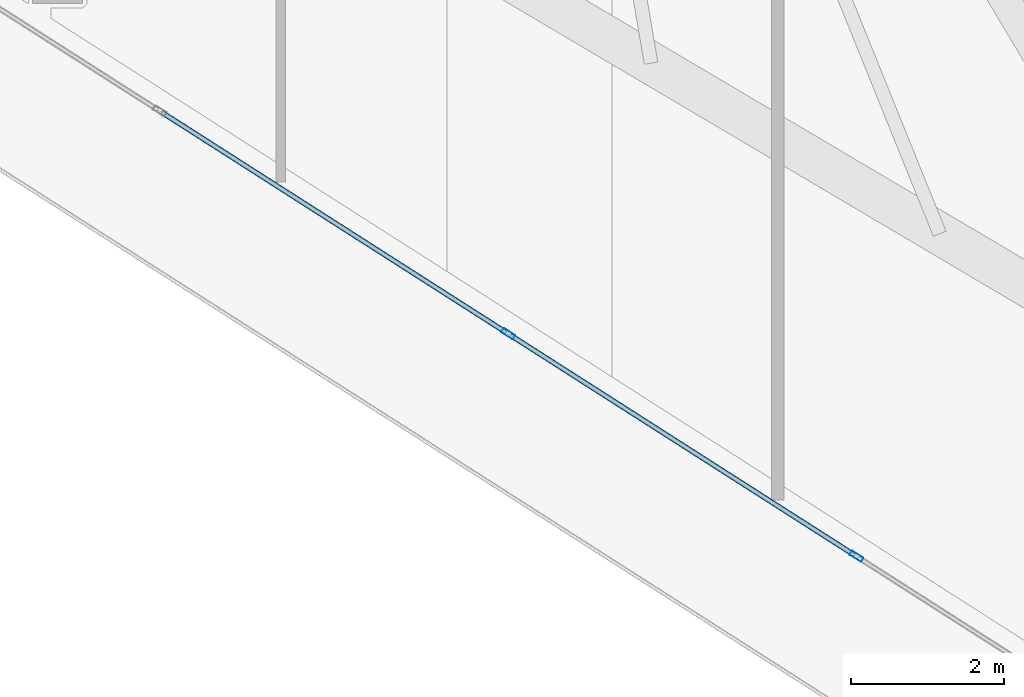
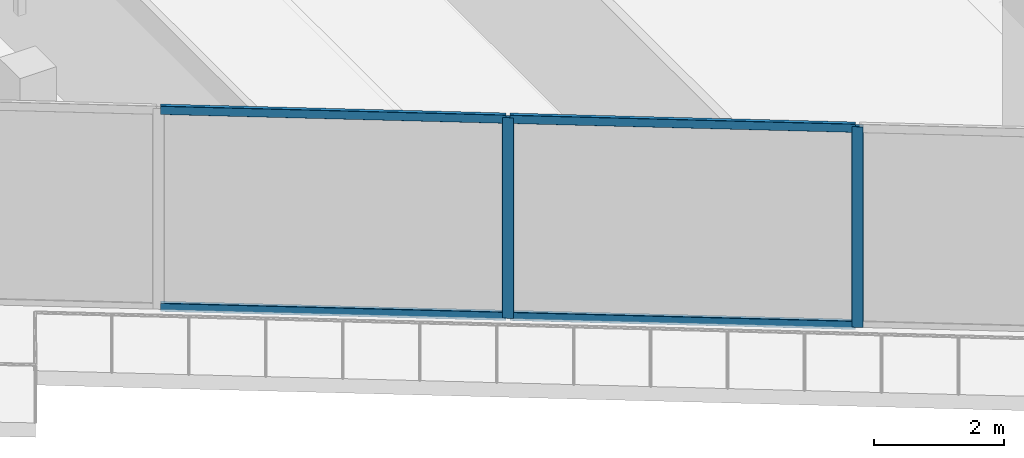
# One storey, part 8 of 39: 6 members, 1 element without a shape of its own.
"""IFC4 building model written with IfcOpenShell, lengths in metres."""

from ifc_helpers import new_model, si_unit, direction, frame, origin, origin_2d, place, context, subcontext, project, spatial, hollow_rectangle, extrude, material, layer, layer_set, material_profile, profile_set, type_object, element, aggregate, save


model = new_model("IFC4")

# Units and contexts
model_context = context("Model", 3, precision=1e-05, world=origin(), true_north=direction((0.0, 1.0)))
body_context = subcontext(model_context, "Body", "Model", "MODEL_VIEW")
ifc_project = project(units=[si_unit("LENGTHUNIT", "METRE"), si_unit("AREAUNIT", "SQUARE_METRE"), si_unit("VOLUMEUNIT", "CUBIC_METRE"), si_unit("PLANEANGLEUNIT", "RADIAN"), si_unit("MASSUNIT", "GRAM", prefix="KILO")], contexts=[model_context])

# Site, building, storey
site_placement = place(None, origin())
site = spatial("IfcSite", under=ifc_project, at=site_placement, CompositionType="ELEMENT")
building_placement = place(site_placement, origin())
building = spatial("IfcBuilding", under=site, at=building_placement, Name="Qorvath Tower", CompositionType="ELEMENT")
storey_placement = place(building_placement, frame((0.0, 0.0, 142.199951171875)))
storey = spatial("IfcBuildingStorey", under=building, at=storey_placement, Name="L32", CompositionType="ELEMENT", Elevation=142.199951171875)

# Curtain wall, members
ifc_material_1 = material(Name="Anodised aluminium and triple low-E glass", Category="aluminium")
ifc_layer = layer(ifc_material_1, 0.179931640625)
ifc_layer_set = layer_set([ifc_layer], Name="CW-SYS-3")
curtain_wall_type = type_object("IfcCurtainWallType", Name="CW-SYS-3", PredefinedType="NOTDEFINED", material=ifc_layer_set)
curtain_wall_placement = place(storey_placement, origin())
curtain_wall = element("IfcCurtainWall", 1, at=curtain_wall_placement, inside=storey, type_object=curtain_wall_type, Name="Curtain Wall CW-3 CW-T-L32-2.1", PredefinedType="NOTDEFINED")
ifc_material_2 = material(Name="Anodised aluminium 6063-T6", Category="aluminium")
ifc_material_profile_1 = material_profile(ifc_material_2, hollow_rectangle(XDim=0.06494140625, YDim=0.179931640625, WallThickness=0.00341796875, InnerFilletRadius=0.00341796875, OuterFilletRadius=0.007080078125, at=origin_2d()), Name="CWM 180x65")
ifc_profile_set_1 = profile_set([ifc_material_profile_1], Name="Anodised aluminium 6063-T6")
member_type_1 = type_object("IfcMemberType", Name="CWM-180", PredefinedType="MULLION", material=ifc_profile_set_1)
member_1_placement = place(storey_placement, frame((-25.12939453125, -24.099365234375, 0.0), z_axis=(0.0, 0.0, 1.0), x_axis=(0.53853296968, 0.842604438967, 0.0)))
member_1 = element("IfcMember", 2, at=member_1_placement, type_object=member_type_1, Name="CW-3 mullion 8", PredefinedType="MULLION", context=body_context, shape_type="SweptSolid", body=[
    extrude(hollow_rectangle(XDim=0.06494140625, YDim=0.179931640625, WallThickness=0.00341796875, InnerFilletRadius=0.00341796875, OuterFilletRadius=0.007080078125, at=origin_2d()), origin(), (0.0, 0.0, 1.0), 3.780029296875),
])
member_2_placement = place(storey_placement, frame((-20.57861328125, -27.008056640625, 0.0), z_axis=(0.0, 0.0, 1.0), x_axis=(0.53853296968, 0.842604438967, 0.0)))
member_2 = element("IfcMember", 3, at=member_2_placement, type_object=member_type_1, Name="CW-3 mullion 9", PredefinedType="MULLION", context=body_context, shape_type="SweptSolid", body=[
    extrude(hollow_rectangle(XDim=0.06494140625, YDim=0.179931640625, WallThickness=0.00341796875, InnerFilletRadius=0.00341796875, OuterFilletRadius=0.007080078125, at=origin_2d()), origin(), (0.0, 0.0, 1.0), 3.780029296875),
])
ifc_material_3 = material(Name="Anodised aluminium 6063-T6", Category="aluminium")
ifc_material_profile_2 = material_profile(ifc_material_3, hollow_rectangle(XDim=0.06494140625, YDim=0.159912109375, WallThickness=0.00341796875, InnerFilletRadius=0.00341796875, OuterFilletRadius=0.007080078125, at=origin_2d()), Name="CWT 160x65")
ifc_profile_set_2 = profile_set([ifc_material_profile_2], Name="Anodised aluminium 6063-T6")
member_type_2 = type_object("IfcMemberType", Name="CWT-160", PredefinedType="USERDEFINED", material=ifc_profile_set_2)
member_3_placement = place(storey_placement, frame((-29.65283203125, -21.208251953125, 0.032470703125), z_axis=(0.842608601225, -0.538526457234, 0.0), x_axis=(0.538526457234, 0.842608601225, 0.0)))
member_3 = element("IfcMember", 4, at=member_3_placement, type_object=member_type_2, Name="CW-3 transom 7.1", ObjectType="TRANSOM", PredefinedType="USERDEFINED", context=body_context, shape_type="SweptSolid", body=[
    extrude(hollow_rectangle(XDim=0.06494140625, YDim=0.159912109375, WallThickness=0.00341796875, InnerFilletRadius=0.00341796875, OuterFilletRadius=0.007080078125, at=origin_2d()), origin(), (0.0, 0.0, 1.0), 5.3359375),
])
member_4_placement = place(storey_placement, frame((-29.65283203125, -21.208251953125, 3.74755859375), z_axis=(0.842608601225, -0.538526457234, 0.0), x_axis=(0.538526457234, 0.842608601225, 0.0)))
member_4 = element("IfcMember", 5, at=member_4_placement, type_object=member_type_2, Name="CW-3 transom 7.2", ObjectType="TRANSOM", PredefinedType="USERDEFINED", context=body_context, shape_type="SweptSolid", body=[
    extrude(hollow_rectangle(XDim=0.06494140625, YDim=0.159912109375, WallThickness=0.00341796875, InnerFilletRadius=0.00341796875, OuterFilletRadius=0.007080078125, at=origin_2d()), origin(), (0.0, 0.0, 1.0), 5.3359375),
])
member_5_placement = place(storey_placement, frame((-25.10205078125, -24.116943359375, 0.032470703125), z_axis=(0.842608601225, -0.538526457234, 0.0), x_axis=(0.538526457234, 0.842608601225, 0.0)))
member_5 = element("IfcMember", 6, at=member_5_placement, type_object=member_type_2, Name="CW-3 transom 8.1", ObjectType="TRANSOM", PredefinedType="USERDEFINED", context=body_context, shape_type="SweptSolid", body=[
    extrude(hollow_rectangle(XDim=0.06494140625, YDim=0.159912109375, WallThickness=0.00341796875, InnerFilletRadius=0.00341796875, OuterFilletRadius=0.007080078125, at=origin_2d()), origin(), (0.0, 0.0, 1.0), 5.3359375),
])
member_6_placement = place(storey_placement, frame((-25.10205078125, -24.116943359375, 3.74755859375), z_axis=(0.842608601225, -0.538526457234, 0.0), x_axis=(0.538526457234, 0.842608601225, 0.0)))
member_6 = element("IfcMember", 7, at=member_6_placement, type_object=member_type_2, Name="CW-3 transom 8.2", ObjectType="TRANSOM", PredefinedType="USERDEFINED", context=body_context, shape_type="SweptSolid", body=[
    extrude(hollow_rectangle(XDim=0.06494140625, YDim=0.159912109375, WallThickness=0.00341796875, InnerFilletRadius=0.00341796875, OuterFilletRadius=0.007080078125, at=origin_2d()), origin(), (0.0, 0.0, 1.0), 5.3359375),
])
aggregate(curtain_wall, [member_1, member_2, member_3, member_4, member_5, member_6])

save(model, "model.ifc")
